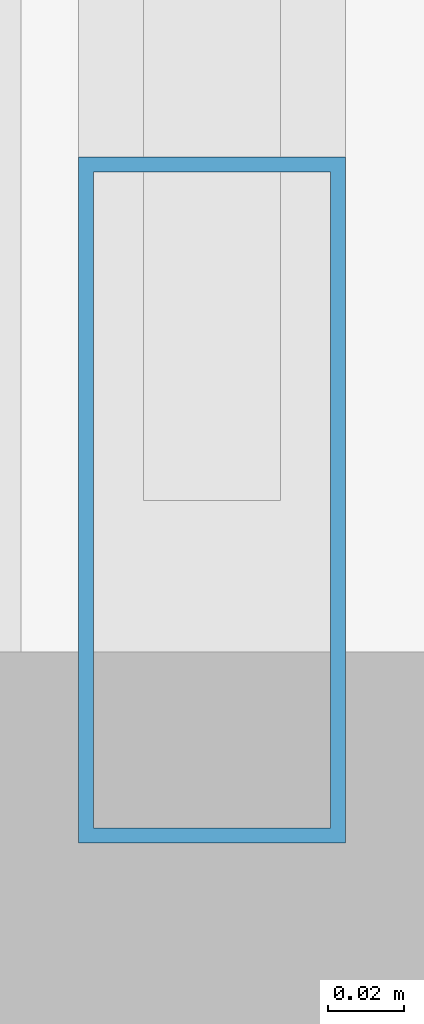
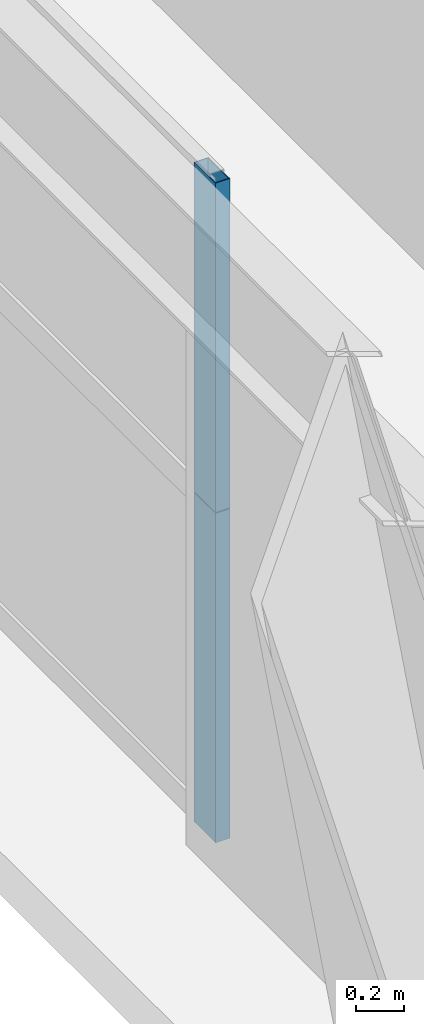
# One storey, part 7 of 41: 2 members, 1 element without a shape of its own.
"""IFC4 building model written with IfcOpenShell, lengths in metres."""

from ifc_helpers import new_model, si_unit, direction, frame, origin, origin_2d, place, context, subcontext, project, spatial, hollow_rectangle, extrude, source, transform, mapped, material, layer, layer_set, material_profile, profile_set, type_object, element, aggregate, save


model = new_model("IFC4")

# Units and contexts
model_context = context("Model", 3, precision=1e-05, world=origin(), true_north=direction((0.0, 1.0)))
body_context = subcontext(model_context, "Body", "Model", "MODEL_VIEW")
ifc_project = project(units=[si_unit("LENGTHUNIT", "METRE"), si_unit("AREAUNIT", "SQUARE_METRE"), si_unit("VOLUMEUNIT", "CUBIC_METRE"), si_unit("PLANEANGLEUNIT", "RADIAN"), si_unit("MASSUNIT", "GRAM", prefix="KILO"), si_unit("THERMODYNAMICTEMPERATUREUNIT", "KELVIN"), si_unit("POWERUNIT", "WATT")], contexts=[model_context])

# Site, building, storey
site_placement = place(None, origin())
site = spatial("IfcSite", under=ifc_project, at=site_placement, CompositionType="ELEMENT")
building_placement = place(site_placement, origin())
building = spatial("IfcBuilding", under=site, at=building_placement, Name="Yuzanri Waterfront Tower", CompositionType="ELEMENT")
storey_placement = place(building_placement, frame((0.0, 0.0, 152.39990234375)))
storey = spatial("IfcBuildingStorey", under=building, at=storey_placement, Name="L40", CompositionType="ELEMENT", Elevation=152.39990234375)

# Curtain wall, members
ifc_material_1 = material(Name="Anodized Architectural Bronze", Category="metal")
ifc_layer = layer(ifc_material_1, 0.159912109375)
ifc_layer_set = layer_set([ifc_layer], Name="Anodized Architectural Bronze")
curtain_wall_type = type_object("IfcCurtainWallType", Name="Anodized Bronze Hotel Upper-Tier Solar-Control Unitized Curtain Wall 7800", PredefinedType="NOTDEFINED", material=ifc_layer_set)
curtain_wall_placement = place(storey_placement, origin())
curtain_wall = element("IfcCurtainWall", 1, at=curtain_wall_placement, inside=storey, type_object=curtain_wall_type, Name="L40 Curtain Wall CW-L40-WL", PredefinedType="NOTDEFINED")
ifc_material_2 = material(Name="Anodized Architectural Bronze", Category="metal")
ifc_material_profile = material_profile(ifc_material_2, hollow_rectangle(XDim=0.070068359375, YDim=0.179931640625, WallThickness=0.00390625, at=origin_2d()), Name="CWM 70x180")
ifc_profile_set = profile_set([ifc_material_profile], Name="Anodized Architectural Bronze")
member_type = type_object("IfcMemberType", Name="Anodized Bronze Standard Curtain-Wall Mullion 70x180", PredefinedType="MULLION", material=ifc_profile_set)
shared_shape = source(origin(), body_context, "Body", "SweptSolid", [
    extrude(hollow_rectangle(XDim=0.070068359375, YDim=0.179931640625, WallThickness=0.00390625, at=origin_2d()), origin(), (0.0, 0.0, 1.0), 1.68798828125),
])
member_1_placement = place(storey_placement, frame((13.550048828125, 9.590087890625, 0.0), z_axis=(0.0, 0.0, 1.0), x_axis=(1.0, 0.0, 0.0)))
member_1 = element("IfcMember", 2, at=member_1_placement, type_object=member_type, Name="CW-L40-WL Lower Mullion 00", PredefinedType="MULLION", context=body_context, shape_type="MappedRepresentation", body=[
    mapped(shared_shape, transform((0.0, 0.0, 0.0), scale=1.0)),
])
member_2_placement = place(storey_placement, frame((13.550048828125, 9.590087890625, 1.692138671875), z_axis=(0.0, 0.0, 1.0), x_axis=(1.0, 0.0, 0.0)))
member_2 = element("IfcMember", 3, at=member_2_placement, type_object=member_type, Name="CW-L40-WL Upper Mullion 00", PredefinedType="MULLION", context=body_context, shape_type="MappedRepresentation", body=[
    mapped(shared_shape, transform((0.0, 0.0, 0.0), scale=1.0)),
])
aggregate(curtain_wall, [member_1, member_2])

save(model, "model.ifc")
